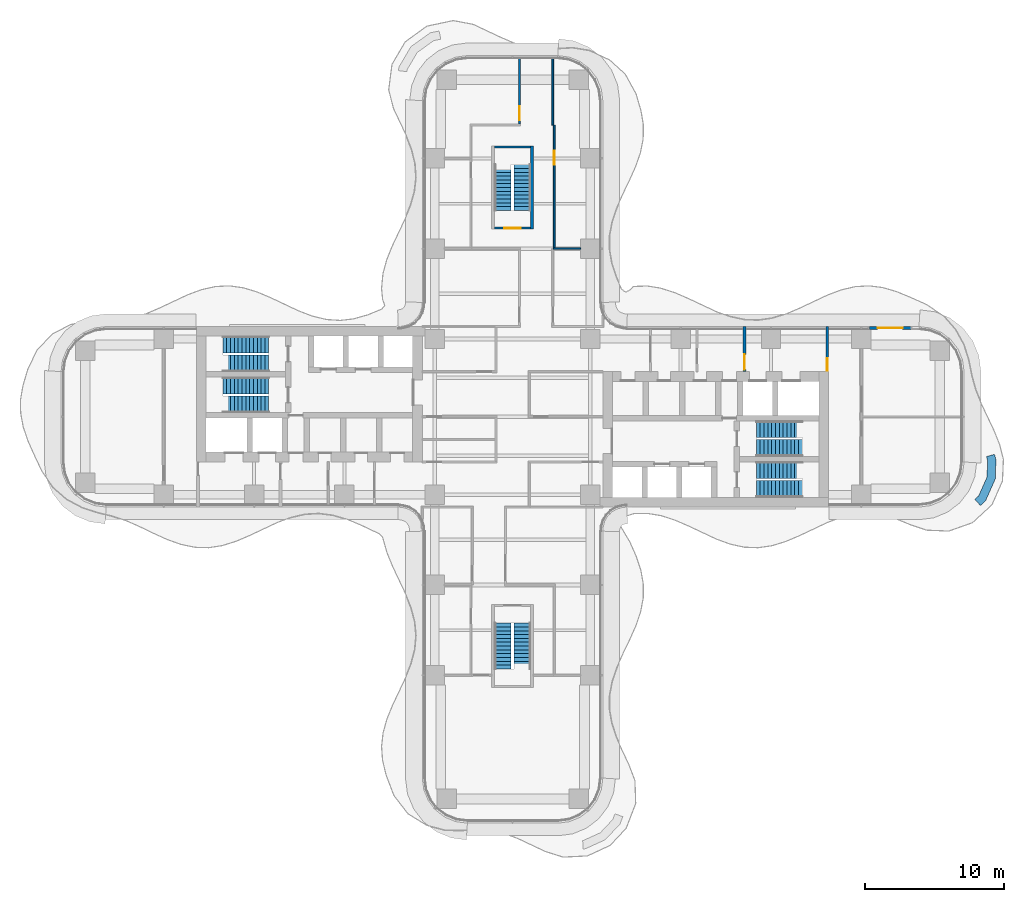
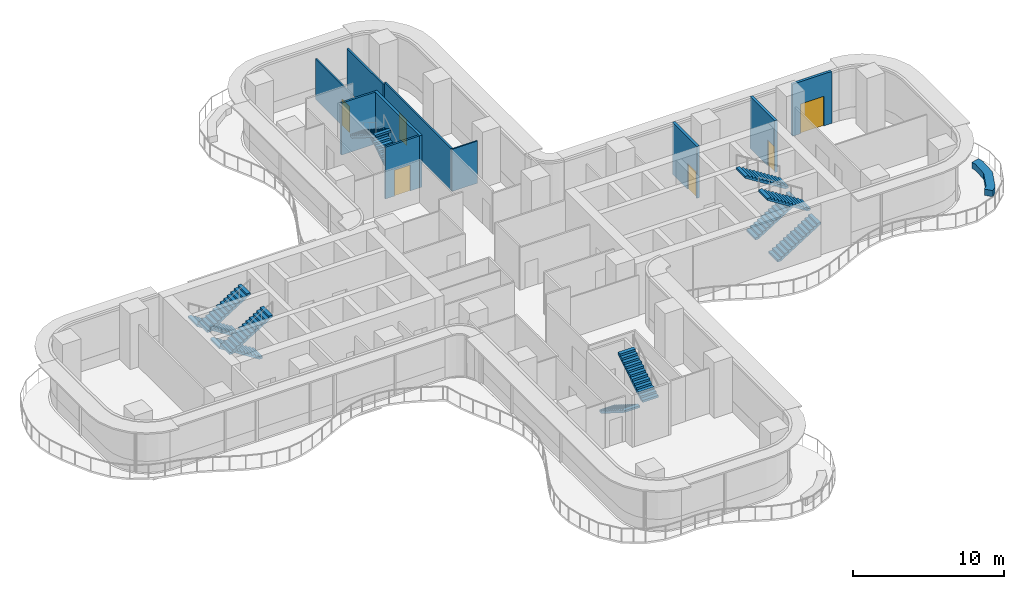
# One storey, part 20 of 22: 12 stair flights, 11 walls, 6 doors, 6 openings, 6 elements without a shape of their own.
"""IFC4 building model written with IfcOpenShell, lengths in metres."""

import ifcopenshell
import ifcopenshell.guid

model = None  # the IFC model being written
_history = None  # IfcOwnerHistory: only IFC2X3 demands one
_inside = {}  # id of a spatial element -> (the spatial element, [elements in it])
_under = {}  # id of a project, library or spatial element -> (it, [spatial elements below it])
_declared = {}  # id of a project -> (the project, [libraries it declares])
_typed = {}  # id of a type object -> (the type object, [elements of that type])
_made_of = {}  # id of a material, layer set ... -> (it, [elements and type objects made of it])


def new_model(schema):
    """Start an empty IFC model of exactly this schema.

    Asked for "IFC4X3", IfcOpenShell would pick the latest addendum, in which some entities
    have other attributes; the version numbers below select the first issue.
    IFC2X3 requires an IfcOwnerHistory on every rooted entity: one is made here for all.
    """
    global model, _history
    if schema == "IFC4X3":
        model = ifcopenshell.file(schema_version=(4, 3, 0, 0))
    else:
        model = ifcopenshell.file(schema=schema)
    _inside.clear()
    _under.clear()
    _declared.clear()
    _typed.clear()
    _made_of.clear()
    _history = None
    if model.schema == "IFC2X3":
        org = make("IfcOrganization", Name="unknown")
        user = make(
            "IfcPersonAndOrganization",
            ThePerson=make("IfcPerson", FamilyName="unknown"),
            TheOrganization=org,
        )
        app = make(
            "IfcApplication",
            ApplicationDeveloper=org,
            Version="unknown",
            ApplicationFullName="unknown",
            ApplicationIdentifier="unknown",
        )
        _history = make(
            "IfcOwnerHistory",
            OwningUser=user,
            OwningApplication=app,
            ChangeAction="ADDED",
            CreationDate=0,
        )
    return model


def make(cls, **values):
    """One entity of the class cls with the attributes given. An attribute that is None is left unset."""
    return model.create_entity(
        cls, **{name: value for name, value in values.items() if value is not None}
    )


def rooted(cls, **values):
    """An entity with a GlobalId (a new one), such as an element, a storey or a relation."""
    return make(cls, GlobalId=ifcopenshell.guid.new(), OwnerHistory=_history, **values)


def si_unit(unit_type, name, prefix=None):
    """IfcSIUnit, for example si_unit("LENGTHUNIT", "METRE", prefix="MILLI")."""
    return make("IfcSIUnit", UnitType=unit_type, Prefix=prefix, Name=name)


def assignment(units):
    """IfcUnitAssignment: the units of a project."""
    return None if units is None else make("IfcUnitAssignment", Units=units)


def point(xyz):
    """IfcCartesianPoint."""
    return None if xyz is None else make("IfcCartesianPoint", Coordinates=xyz)


def direction(xyz):
    """IfcDirection."""
    return None if xyz is None else make("IfcDirection", DirectionRatios=xyz)


def frame(location, z_axis=None, x_axis=None):
    """IfcAxis2Placement3D, a coordinate frame: its origin and axes. An axis left out is left unset."""
    return make(
        "IfcAxis2Placement3D",
        Location=point(location),
        Axis=direction(z_axis),
        RefDirection=direction(x_axis),
    )


def frame_2d(location, x_axis=None):
    """IfcAxis2Placement2D, a coordinate frame in the plane: its origin and x axis."""
    return make(
        "IfcAxis2Placement2D", Location=point(location), RefDirection=direction(x_axis)
    )


def origin():
    """The frame at (0, 0, 0) with its axes left unset."""
    return frame((0.0, 0.0, 0.0))


def place(relative_to, where):
    """IfcLocalPlacement: puts the frame where relative to a parent placement (None: the world)."""
    return make(
        "IfcLocalPlacement", PlacementRelTo=relative_to, RelativePlacement=where
    )


def context(
    kind, dimensions, precision=None, world=None, true_north=None, identifier=None
):
    """IfcGeometricRepresentationContext, for example the 3D "Model" context."""
    return make(
        "IfcGeometricRepresentationContext",
        ContextIdentifier=identifier,
        ContextType=kind,
        CoordinateSpaceDimension=dimensions,
        Precision=precision,
        WorldCoordinateSystem=world,
        TrueNorth=true_north,
    )


def subcontext(parent, identifier, kind, view, scale=None):
    """IfcGeometricRepresentationSubContext, for example "Body" below "Model"."""
    return make(
        "IfcGeometricRepresentationSubContext",
        ContextIdentifier=identifier,
        ContextType=kind,
        ParentContext=parent,
        TargetScale=scale,
        TargetView=view,
    )


def project(units=None, contexts=None):
    """IfcProject with its units and contexts."""
    return rooted(
        "IfcProject",
        Name="project",
        RepresentationContexts=contexts,
        UnitsInContext=assignment(units),
    )


def spatial(cls, under=None, at=None, **own):
    """A site, building, storey or space (cls), placed at a placement, below another one or the project."""
    s = rooted(cls, ObjectPlacement=at, **own)
    if under is not None:
        _under.setdefault(under.id(), (under, []))[1].append(s)
    return s


def polyline(points):
    """IfcPolyline through the points."""
    return make("IfcPolyline", Points=[point(p) for p in points])


def profile(cls, at=None, kind="AREA", **sizes):
    """A parametric profile (cls). Its sizes go by their IFC names, for example OverallWidth=200.0."""
    return make(cls, ProfileType=kind, Position=at, **sizes)


def rectangle(**sizes):
    """IfcRectangleProfileDef."""
    return profile("IfcRectangleProfileDef", **sizes)


def outline(outer, holes=None, kind="AREA"):
    """IfcArbitraryClosedProfileDef: a profile drawn as a closed curve; with holes, ...WithVoids."""
    if holes is None:
        return make("IfcArbitraryClosedProfileDef", ProfileType=kind, OuterCurve=outer)
    return make(
        "IfcArbitraryProfileDefWithVoids",
        ProfileType=kind,
        OuterCurve=outer,
        InnerCurves=holes,
    )


def extrude(swept, where, along, depth):
    """IfcExtrudedAreaSolid: the profile swept, set in the frame where, extruded along a direction by depth."""
    return make(
        "IfcExtrudedAreaSolid",
        SweptArea=swept,
        Position=where,
        ExtrudedDirection=direction(along),
        Depth=depth,
    )


def shape(context_of_items, identifier, shape_type, items):
    """IfcShapeRepresentation: the items that make up one representation, for example the "Body"."""
    return make(
        "IfcShapeRepresentation",
        ContextOfItems=context_of_items,
        RepresentationIdentifier=identifier,
        RepresentationType=shape_type,
        Items=items,
    )


def source(mapping_origin, context_of_items, identifier, shape_type, items):
    """IfcRepresentationMap: a shape defined once, which mapped items show again and again."""
    return make(
        "IfcRepresentationMap",
        MappingOrigin=mapping_origin,
        MappedRepresentation=shape(context_of_items, identifier, shape_type, items),
    )


def transform(
    local_origin,
    x_axis=None,
    y_axis=None,
    z_axis=None,
    scale=None,
    scale2=None,
    scale3=None,
    uniform=True,
):
    """IfcCartesianTransformationOperator3D, or its non-uniform kind. x_axis, y_axis, z_axis: its Axis1, 2, 3."""
    if uniform:
        return make(
            "IfcCartesianTransformationOperator3D",
            Axis1=direction(x_axis),
            Axis2=direction(y_axis),
            LocalOrigin=point(local_origin),
            Scale=scale,
            Axis3=direction(z_axis),
        )
    return make(
        "IfcCartesianTransformationOperator3DnonUniform",
        Axis1=direction(x_axis),
        Axis2=direction(y_axis),
        LocalOrigin=point(local_origin),
        Scale=scale,
        Axis3=direction(z_axis),
        Scale2=scale2,
        Scale3=scale3,
    )


def mapped(mapping_source, mapping_target):
    """IfcMappedItem: shows the shape of a source again, moved by a transform."""
    return make(
        "IfcMappedItem", MappingSource=mapping_source, MappingTarget=mapping_target
    )


def material(Name=None, Category=None):
    """IfcMaterial."""
    return make("IfcMaterial", Name=Name, Category=Category)


def layer(
    of_material, thickness, ventilated=None, Name=None, Category=None, Priority=None
):
    """IfcMaterialLayer: one layer of a wall or slab, of a material (None: an air gap)."""
    return make(
        "IfcMaterialLayer",
        Material=of_material,
        LayerThickness=thickness,
        IsVentilated=ventilated,
        Name=Name,
        Category=Category,
        Priority=Priority,
    )


def layer_set(layers, Name=None):
    """IfcMaterialLayerSet."""
    return make("IfcMaterialLayerSet", MaterialLayers=layers, LayerSetName=Name)


def made_of(thing, what):
    """Note that an element or type object is made of a material, layer set ...; save() writes the relation."""
    if what is not None:
        _made_of.setdefault(what.id(), (what, []))[1].append(thing)
    return thing


def type_object(cls, material=None, **own):
    """A type object (cls), such as IfcWallType, which elements share."""
    return made_of(rooted(cls, **own), material)


def element(
    cls,
    number,
    at=None,
    inside=None,
    cuts=None,
    type_object=None,
    material=None,
    context=None,
    identifier="Body",
    shape_type=None,
    held_by="IfcProductDefinitionShape",
    body=None,
    shapes=None,
    **own,
):
    """One element of the class cls, such as IfcWall. Its Tag is "e" and its number.

    at: its placement. inside: the storey or other place that contains it. cuts: it is an
    opening in that element (IfcRelVoidsElement). A single representation is given by context,
    identifier, shape_type and body (its items); several are given by shapes. held_by: the class
    of the entity that holds the representations. save() writes the other relations.
    """
    e = rooted(cls, Tag="e%d" % number, ObjectPlacement=at, **own)
    if body is not None:
        shapes = [shape(context, identifier, shape_type, body)]
    if shapes is not None:
        e.Representation = make(held_by, Representations=shapes)
    if inside is not None:
        _inside.setdefault(inside.id(), (inside, []))[1].append(e)
    if cuts is not None:
        rooted(
            "IfcRelVoidsElement", RelatingBuildingElement=cuts, RelatedOpeningElement=e
        )
    if type_object is not None:
        _typed.setdefault(type_object.id(), (type_object, []))[1].append(e)
    return made_of(e, material)


def fill(opening, filler):
    """IfcRelFillsElement: the door or window that sits in an opening."""
    return rooted(
        "IfcRelFillsElement",
        RelatingOpeningElement=opening,
        RelatedBuildingElement=filler,
    )


def aggregate(whole, parts):
    """IfcRelAggregates: a whole, such as a stair, and the parts it consists of."""
    return rooted("IfcRelAggregates", RelatingObject=whole, RelatedObjects=parts)


def save(model, path):
    """Write the relations noted so far, then the file.

    IfcRelAggregates (storeys below a building ...), IfcRelContainedInSpatialStructure (elements
    in a storey), IfcRelDefinesByType, IfcRelAssociatesMaterial and IfcRelDeclares: one each for
    every whole, place, type object, material and project.
    """
    for whole, parts in _under.values():
        aggregate(whole, parts)
    for where, things in _inside.values():
        rooted(
            "IfcRelContainedInSpatialStructure",
            RelatedElements=things,
            RelatingStructure=where,
        )
    for kind, things in _typed.values():
        rooted("IfcRelDefinesByType", RelatedObjects=things, RelatingType=kind)
    for what, things in _made_of.values():
        rooted("IfcRelAssociatesMaterial", RelatedObjects=things, RelatingMaterial=what)
    for by, libraries in _declared.values():
        rooted("IfcRelDeclares", RelatingContext=by, RelatedDefinitions=libraries)
    model.write(path)


model = new_model("IFC4")

# Units and contexts
model_context = context("Model", 3, precision=1e-05, world=origin(), true_north=direction((0.0, 1.0)))
body_context = subcontext(model_context, "Body", "Model", "MODEL_VIEW")
ifc_project = project(units=[si_unit("LENGTHUNIT", "METRE"), si_unit("AREAUNIT", "SQUARE_METRE"), si_unit("VOLUMEUNIT", "CUBIC_METRE"), si_unit("PLANEANGLEUNIT", "RADIAN"), si_unit("MASSUNIT", "GRAM", prefix="KILO")], contexts=[model_context])

# Site, building, storey
site_placement = place(None, origin())
site = spatial("IfcSite", under=ifc_project, at=site_placement, CompositionType="ELEMENT")
building_placement = place(site_placement, origin())
building = spatial("IfcBuilding", under=site, at=building_placement, Name="Trellis Farm Tower", CompositionType="ELEMENT")
storey_placement = place(building_placement, frame((0.0, 0.0, 88.0)))
storey = spatial("IfcBuildingStorey", under=building, at=storey_placement, Name="L18", CompositionType="ELEMENT", Elevation=88.0)

# Wall, opening, door
ifc_material_1 = material(Name="Sandstone faced insulated wall", Category="masonry")
ifc_layer_1 = layer(ifc_material_1, 0.199951171875)
ifc_layer_set_1 = layer_set([ifc_layer_1], Name="EXTERNAL INFILL WALL 200")
wall_type_1 = type_object("IfcWallType", Name="EXTERNAL INFILL WALL 200", PredefinedType="SOLIDWALL", material=ifc_layer_set_1)
wall_1_placement = place(storey_placement, frame((28.675048828125, 6.39990234375, 0.0), z_axis=(0.0, 0.0, 1.0), x_axis=(-1.0, 0.0, 0.0)))
wall_1 = element("IfcWall", 1, at=wall_1_placement, inside=storey, type_object=wall_type_1, Name="EW1 01", PredefinedType="SOLIDWALL", context=body_context, shape_type="SweptSolid", body=[
    extrude(rectangle(XDim=3.0, YDim=0.199951171875, at=frame_2d((1.5, 0.0))), origin(), (0.0, 0.0, 1.0), 4.199951171875),
])
shared_shape_1 = source(origin(), body_context, "Body", "SweptSolid", [
    extrude(rectangle(XDim=1.800048828125, YDim=2.39990234375, at=frame_2d((0.89990234375, 1.199951171875))), frame((0.0, 0.110107421875, 0.0), z_axis=(0.0, -1.0, 0.0), x_axis=(1.0, 0.0, 0.0)), (0.0, 0.0, 1.0), 0.22021484375),
])
opening_1_placement = place(wall_1_placement, frame((0.60009765625, 0.0, 0.0)))
opening_1 = element("IfcOpeningElement", 2, at=opening_1_placement, cuts=wall_1, Name="Opening ED1", PredefinedType="OPENING", context=body_context, shape_type="MappedRepresentation", body=[
    mapped(shared_shape_1, transform((0.0, 0.0, 0.0))),
])
ifc_material_2 = material(Name="Aluminium framed glazed door", Category="aluminium")
door_type_1 = type_object("IfcDoorType", Name="BALCONY DOOR 1800x2400", OperationType="DOUBLE_DOOR_SINGLE_SWING", PredefinedType="DOOR", material=ifc_material_2)
shared_shape_2 = source(origin(), body_context, "Body", "SweptSolid", [
    extrude(rectangle(XDim=1.800048828125, YDim=2.39990234375, at=frame_2d((0.89990234375, 1.199951171875))), frame((0.0, 0.02490234375, 0.0), z_axis=(0.0, -1.0, 0.0), x_axis=(1.0, 0.0, 0.0)), (0.0, 0.0, 1.0), 0.050048828125),
])
door_1_placement = place(opening_1_placement, origin())
door_1 = element("IfcDoor", 3, at=door_1_placement, inside=storey, type_object=door_type_1, Name="Balcony door", OperationType="DOUBLE_DOOR_SINGLE_SWING", OverallHeight=2.39990234375, OverallWidth=1.800048828125, PredefinedType="DOOR", context=body_context, shape_type="MappedRepresentation", body=[
    mapped(shared_shape_2, transform((0.0, 0.0, 0.0))),
])
fill(opening_1, door_1)

ifc_material_3 = material(Name="Plasterboard on steel studs, mineral wool", Category="steel")
ifc_layer_2 = layer(ifc_material_3, 0.125)
ifc_layer_set_2 = layer_set([ifc_layer_2], Name="PARTITION 125 STUD EI 60")
wall_type_2 = type_object("IfcWallType", Name="PARTITION 125 STUD EI 60", PredefinedType="PARTITIONING", material=ifc_layer_set_2)
wall_2_placement = place(storey_placement, frame((0.5, 25.800048828125, 0.0), z_axis=(0.0, 0.0, 1.0), x_axis=(0.0, -1.0, 0.0)))
wall_2 = element("IfcWall", 4, at=wall_2_placement, inside=storey, type_object=wall_type_2, Name="Partition PW1", PredefinedType="PARTITIONING", context=body_context, shape_type="SweptSolid", body=[
    extrude(rectangle(XDim=4.737548828125, YDim=0.125, at=frame_2d((2.36865234375, 0.0))), origin(), (0.0, 0.0, 1.0), 3.280029296875),
])
shared_shape_3 = source(origin(), body_context, "Body", "SweptSolid", [
    extrude(rectangle(XDim=1.0, YDim=2.10009765625, at=frame_2d((0.5, 1.050048828125))), frame((0.0, 0.072509765625, 0.0), z_axis=(0.0, -1.0, 0.0), x_axis=(1.0, 0.0, 0.0)), (0.0, 0.0, 1.0), 0.14501953125),
])
opening_2_placement = place(wall_2_placement, frame((3.449951171875, 0.0, 0.0)))
opening_2 = element("IfcOpeningElement", 5, at=opening_2_placement, cuts=wall_2, Name="Opening D114", PredefinedType="OPENING", context=body_context, shape_type="MappedRepresentation", body=[
    mapped(shared_shape_3, transform((0.0, 0.0, 0.0))),
])
ifc_material_4 = material(Name="Fire-rated timber door leaf in a hollow metal frame", Category="wood")
door_type_2 = type_object("IfcDoorType", Name="DOOR 1000x2100 FD30S", OperationType="NOTDEFINED", PredefinedType="DOOR", material=ifc_material_4)
shared_shape_4 = source(origin(), body_context, "Body", "SweptSolid", [
    extrude(rectangle(XDim=1.0, YDim=2.10009765625, at=frame_2d((0.5, 1.050048828125))), frame((0.0, 0.02490234375, 0.0), z_axis=(0.0, -1.0, 0.0), x_axis=(1.0, 0.0, 0.0)), (0.0, 0.0, 1.0), 0.050048828125),
])
door_2_placement = place(opening_2_placement, origin())
door_2 = element("IfcDoor", 6, at=door_2_placement, inside=storey, type_object=door_type_2, Name="Door D114", OperationType="SINGLE_SWING_RIGHT", OverallHeight=2.10009765625, OverallWidth=1.0, PredefinedType="DOOR", context=body_context, shape_type="MappedRepresentation", body=[
    mapped(shared_shape_4, transform((0.0, 0.0, 0.0))),
])
fill(opening_2, door_2)

# Wall
wall_3_placement = place(storey_placement, frame((2.89990234375, 25.800048828125, 0.0), z_axis=(0.0, 0.0, 1.0), x_axis=(0.0, -1.0, 0.0)))
element("IfcWall", 7, at=wall_3_placement, inside=storey, type_object=wall_type_2, Name="Partition PW1", PredefinedType="PARTITIONING", context=body_context, shape_type="SweptSolid", body=[
    extrude(rectangle(XDim=4.800048828125, YDim=0.125, at=frame_2d((2.39990234375, 0.0))), origin(), (0.0, 0.0, 1.0), 3.280029296875),
])

# Wall, opening, door
wall_4_placement = place(storey_placement, frame((3.0, 21.0, 0.0), z_axis=(0.0, 0.0, 1.0), x_axis=(0.0, -1.0, 0.0)))
wall_4 = element("IfcWall", 8, at=wall_4_placement, inside=storey, type_object=wall_type_2, Name="Partition PW1", PredefinedType="PARTITIONING", context=body_context, shape_type="SweptSolid", body=[
    extrude(rectangle(XDim=8.85009765625, YDim=0.125, at=frame_2d((4.425048828125, 0.0))), origin(), (0.0, 0.0, 1.0), 3.417724609375),
])
opening_3_placement = place(wall_4_placement, frame((1.85009765625, 0.0, 0.0)))
opening_3 = element("IfcOpeningElement", 9, at=opening_3_placement, cuts=wall_4, Name="Opening D113", PredefinedType="OPENING", context=body_context, shape_type="MappedRepresentation", body=[
    mapped(shared_shape_3, transform((0.0, 0.0, 0.0))),
])
door_3_placement = place(opening_3_placement, origin())
door_3 = element("IfcDoor", 10, at=door_3_placement, inside=storey, type_object=door_type_2, Name="Door D113", OperationType="SINGLE_SWING_LEFT", OverallHeight=2.10009765625, OverallWidth=1.0, PredefinedType="DOOR", context=body_context, shape_type="MappedRepresentation", body=[
    mapped(shared_shape_4, transform((0.0, 0.0, 0.0))),
])
fill(opening_3, door_3)

# Wall
ifc_material_5 = material(Name="Sandstone faced masonry planter", Category="masonry")
ifc_layer_3 = layer(ifc_material_5, 0.60009765625)
ifc_layer_set_3 = layer_set([ifc_layer_3], Name="PLANTER BED 600")
wall_type_3 = type_object("IfcWallType", Name="PLANTER BED 600", PredefinedType="USERDEFINED", material=ifc_layer_set_3)
placement = place(storey_placement, origin())
element("IfcWall", 11, at=placement, inside=storey, type_object=wall_type_3, Name="PLANTER bed", ObjectType="PLANTER", PredefinedType="USERDEFINED", context=body_context, shape_type="SweptSolid", body=[
    extrude(outline(polyline([(34.740966796875, -4.480224609375), (34.044189453125, -6.050537109375), (33.671142578125, -6.386962890625), (33.269287109375, -5.94140625), (33.547607421875, -5.6904296875), (34.145751953125, -4.34228515625), (34.1904296875, -3.16748046875), (34.109619140625, -2.8544921875), (34.6904296875, -2.704345703125), (34.79345703125, -3.102294921875), (34.740966796875, -4.480224609375)])), origin(), (0.0, 0.0, 1.0), 0.5),
])

# Wall, opening, door
ifc_material_6 = material(Name="Masonry blockwork", Category="masonry")
ifc_layer_4 = layer(ifc_material_6, 0.199951171875)
ifc_layer_set_4 = layer_set([ifc_layer_4], Name="FIRE LOBBY PARTITION 200 BLOCKWORK")
wall_type_4 = type_object("IfcWallType", Name="FIRE LOBBY PARTITION 200 BLOCKWORK", PredefinedType="PARTITIONING", material=ifc_layer_set_4)
shared_shape_5 = source(origin(), body_context, "Body", "SweptSolid", [
    extrude(rectangle(XDim=3.25, YDim=0.199951171875, at=frame_2d((1.625, 0.0))), origin(), (0.0, 0.0, 1.0), 4.199951171875),
])
wall_6_placement = place(storey_placement, frame((16.699951171875, 3.25, 0.0), z_axis=(0.0, 0.0, 1.0), x_axis=(0.0, 1.0, 0.0)))
wall_6 = element("IfcWall", 12, at=wall_6_placement, inside=storey, type_object=wall_type_4, Name="Fire-fighting lobby partition", PredefinedType="PARTITIONING", context=body_context, shape_type="MappedRepresentation", body=[
    mapped(shared_shape_5, transform((0.0, 0.0, 0.0))),
])
shared_shape_6 = source(origin(), body_context, "Body", "SweptSolid", [
    extrude(rectangle(XDim=1.10009765625, YDim=2.10009765625, at=frame_2d((0.550048828125, 1.050048828125))), frame((0.0, 0.110107421875, 0.0), z_axis=(0.0, -1.0, 0.0), x_axis=(1.0, 0.0, 0.0)), (0.0, 0.0, 1.0), 0.22021484375),
])
opening_4_placement = place(wall_6_placement, frame((0.14990234375, 0.0, 0.0)))
opening_4 = element("IfcOpeningElement", 13, at=opening_4_placement, cuts=wall_6, Name="Opening DC7", PredefinedType="OPENING", context=body_context, shape_type="MappedRepresentation", body=[
    mapped(shared_shape_6, transform((0.0, 0.0, 0.0))),
])
ifc_material_7 = material(Name="Steel", Category="steel")
door_type_3 = type_object("IfcDoorType", Name="CORE FIRE DOOR 1100 X 2100", OperationType="NOTDEFINED", PredefinedType="DOOR", material=ifc_material_7)
shared_shape_7 = source(origin(), body_context, "Body", "SweptSolid", [
    extrude(rectangle(XDim=1.10009765625, YDim=2.10009765625, at=frame_2d((0.550048828125, 1.050048828125))), frame((0.0, 0.02490234375, 0.0), z_axis=(0.0, -1.0, 0.0), x_axis=(1.0, 0.0, 0.0)), (0.0, 0.0, 1.0), 0.050048828125),
])
door_4_placement = place(opening_4_placement, origin())
door_4 = element("IfcDoor", 14, at=door_4_placement, inside=storey, type_object=door_type_3, Name="Core door", OperationType="SINGLE_SWING_RIGHT", OverallHeight=2.10009765625, OverallWidth=1.10009765625, PredefinedType="DOOR", context=body_context, shape_type="MappedRepresentation", body=[
    mapped(shared_shape_7, transform((0.0, 0.0, 0.0))),
])
fill(opening_4, door_4)

wall_7_placement = place(storey_placement, frame((22.64990234375, 3.25, 0.0), z_axis=(0.0, 0.0, 1.0), x_axis=(0.0, 1.0, 0.0)))
wall_7 = element("IfcWall", 15, at=wall_7_placement, inside=storey, type_object=wall_type_4, Name="Fire-fighting lobby partition", PredefinedType="PARTITIONING", context=body_context, shape_type="MappedRepresentation", body=[
    mapped(shared_shape_5, transform((0.0, 0.0, 0.0))),
])
shared_shape_8 = source(origin(), body_context, "Body", "SweptSolid", [
    extrude(rectangle(XDim=0.89990234375, YDim=2.10009765625, at=frame_2d((0.449951171875, 1.050048828125))), frame((0.0, 0.110107421875, 0.0), z_axis=(0.0, -1.0, 0.0), x_axis=(1.0, 0.0, 0.0)), (0.0, 0.0, 1.0), 0.22021484375),
])
opening_5_placement = place(wall_7_placement, frame((0.050048828125, 0.0, 0.0)))
opening_5 = element("IfcOpeningElement", 16, at=opening_5_placement, cuts=wall_7, Name="Opening DC8", PredefinedType="OPENING", context=body_context, shape_type="MappedRepresentation", body=[
    mapped(shared_shape_8, transform((0.0, 0.0, 0.0))),
])
door_type_4 = type_object("IfcDoorType", Name="CORE FIRE DOOR 900 X 2100", OperationType="NOTDEFINED", PredefinedType="DOOR", material=ifc_material_7)
shared_shape_9 = source(origin(), body_context, "Body", "SweptSolid", [
    extrude(rectangle(XDim=0.89990234375, YDim=2.10009765625, at=frame_2d((0.449951171875, 1.050048828125))), frame((0.0, 0.02490234375, 0.0), z_axis=(0.0, -1.0, 0.0), x_axis=(1.0, 0.0, 0.0)), (0.0, 0.0, 1.0), 0.050048828125),
])
door_5_placement = place(opening_5_placement, origin())
door_5 = element("IfcDoor", 17, at=door_5_placement, inside=storey, type_object=door_type_4, Name="Core door", OperationType="SINGLE_SWING_RIGHT", OverallHeight=2.10009765625, OverallWidth=0.89990234375, PredefinedType="DOOR", context=body_context, shape_type="MappedRepresentation", body=[
    mapped(shared_shape_9, transform((0.0, 0.0, 0.0))),
])
fill(opening_5, door_5)

# Wall
ifc_material_8 = material(Name="Concrete C80/95", Category="concrete")
ifc_layer_5 = layer(ifc_material_8, 0.199951171875)
ifc_layer_set_5 = layer_set([ifc_layer_5], Name="CORE STAIR ENCLOSURE WALL 200 CONCRETE C80/95")
wall_type_5 = type_object("IfcWallType", Name="CORE STAIR ENCLOSURE WALL 200 CONCRETE C80/95", PredefinedType="SHEAR", material=ifc_layer_set_5)
shared_shape_10 = source(origin(), body_context, "Body", "SweptSolid", [
    extrude(rectangle(XDim=6.0, YDim=0.199951171875, at=frame_2d((3.0, 0.0))), origin(), (0.0, 0.0, 1.0), 4.199951171875),
])
wall_8_placement = place(storey_placement, frame((1.39990234375, 13.5, 0.0), z_axis=(0.0, 0.0, 1.0), x_axis=(0.0, 1.0, 0.0)))
element("IfcWall", 18, at=wall_8_placement, inside=storey, type_object=wall_type_5, Name="Stair enclosure wall", PredefinedType="SHEAR", context=body_context, shape_type="MappedRepresentation", body=[
    mapped(shared_shape_10, transform((0.0, 0.0, 0.0))),
])

# Wall, opening, door
ifc_layer_6 = layer(ifc_material_8, 0.14990234375)
ifc_layer_set_6 = layer_set([ifc_layer_6], Name="CORE STAIR ENCLOSURE WALL 150 CONCRETE C80/95")
wall_type_6 = type_object("IfcWallType", Name="CORE STAIR ENCLOSURE WALL 150 CONCRETE C80/95", PredefinedType="SHEAR", material=ifc_layer_set_6)
shared_shape_11 = source(origin(), body_context, "Body", "SweptSolid", [
    extrude(rectangle(XDim=2.60009765625, YDim=0.14990234375, at=frame_2d((1.300048828125, 0.0))), origin(), (0.0, 0.0, 1.0), 4.199951171875),
])
wall_9_placement = place(storey_placement, frame((-1.300048828125, 13.574951171875, 0.0), z_axis=(0.0, 0.0, 1.0), x_axis=(1.0, 0.0, 0.0)))
wall_9 = element("IfcWall", 19, at=wall_9_placement, inside=storey, type_object=wall_type_6, Name="Stair enclosure wall", PredefinedType="SHEAR", context=body_context, shape_type="MappedRepresentation", body=[
    mapped(shared_shape_11, transform((0.0, 0.0, 0.0))),
])
shared_shape_12 = source(origin(), body_context, "Body", "SweptSolid", [
    extrude(rectangle(XDim=1.199951171875, YDim=2.10009765625, at=frame_2d((0.60009765625, 1.050048828125))), frame((0.0, 0.0849609375, 0.0), z_axis=(0.0, -1.0, 0.0), x_axis=(1.0, 0.0, 0.0)), (0.0, 0.0, 1.0), 0.169921875),
])
opening_6_placement = place(wall_9_placement, frame((0.699951171875, 0.0, 0.0)))
opening_6 = element("IfcOpeningElement", 20, at=opening_6_placement, cuts=wall_9, Name="Opening DC173", PredefinedType="OPENING", context=body_context, shape_type="MappedRepresentation", body=[
    mapped(shared_shape_12, transform((0.0, 0.0, 0.0))),
])
door_type_5 = type_object("IfcDoorType", Name="CORE FIRE DOOR 1200 X 2100", OperationType="NOTDEFINED", PredefinedType="DOOR", material=ifc_material_7)
shared_shape_13 = source(origin(), body_context, "Body", "SweptSolid", [
    extrude(rectangle(XDim=1.199951171875, YDim=2.10009765625, at=frame_2d((0.60009765625, 1.050048828125))), frame((0.0, 0.02490234375, 0.0), z_axis=(0.0, -1.0, 0.0), x_axis=(1.0, 0.0, 0.0)), (0.0, 0.0, 1.0), 0.050048828125),
])
door_6_placement = place(opening_6_placement, origin())
door_6 = element("IfcDoor", 21, at=door_6_placement, inside=storey, type_object=door_type_5, Name="Core door", OperationType="SINGLE_SWING_LEFT", OverallHeight=2.10009765625, OverallWidth=1.199951171875, PredefinedType="DOOR", context=body_context, shape_type="MappedRepresentation", body=[
    mapped(shared_shape_13, transform((0.0, 0.0, 0.0))),
])
fill(opening_6, door_6)

# Walls
wall_10_placement = place(storey_placement, frame((-1.300048828125, 19.425048828125, 0.0), z_axis=(0.0, 0.0, 1.0), x_axis=(1.0, 0.0, 0.0)))
element("IfcWall", 22, at=wall_10_placement, inside=storey, type_object=wall_type_6, Name="Stair enclosure wall", PredefinedType="SHEAR", context=body_context, shape_type="MappedRepresentation", body=[
    mapped(shared_shape_11, transform((0.0, 0.0, 0.0))),
])
ifc_material_9 = material(Name="Plasterboard on steel studs", Category="steel")
ifc_layer_7 = layer(ifc_material_9, 0.10009765625)
ifc_layer_set_7 = layer_set([ifc_layer_7], Name="PARTITION 100 STUD EI 30")
wall_type_7 = type_object("IfcWallType", Name="PARTITION 100 STUD EI 30", PredefinedType="PARTITIONING", material=ifc_layer_set_7)
shared_shape_14 = source(origin(), body_context, "Body", "SweptSolid", [
    extrude(rectangle(XDim=1.96240234375, YDim=0.10009765625, at=frame_2d((0.981201171875, 0.0))), origin(), (0.0, 0.0, 1.0), 3.417724609375),
])
wall_11_placement = place(storey_placement, frame((2.9375, 12.10009765625, 0.0), z_axis=(0.0, 0.0, 1.0), x_axis=(1.0, 0.0, 0.0)))
element("IfcWall", 23, at=wall_11_placement, inside=storey, type_object=wall_type_7, Name="Partition PW2", PredefinedType="PARTITIONING", context=body_context, shape_type="MappedRepresentation", body=[
    mapped(shared_shape_14, transform((0.0, 0.0, 0.0))),
])

# Stair, stair flights
ifc_material_10 = material(Name="Concrete C50/60", Category="concrete")
stair_type = type_object("IfcStairType", Name="CORE EXIT STAIR 26 RISERS 173 MM", PredefinedType="HALF_TURN_STAIR", material=ifc_material_10)
stair_1 = element("IfcStair", 24, at=placement, inside=storey, type_object=stair_type, Name="Exit stair N", PredefinedType="HALF_TURN_STAIR")
stair_flight_type = type_object("IfcStairFlightType", Name="STAIR FLIGHT 13 RISERS 173 MM", PredefinedType="STRAIGHT", material=ifc_material_10)
shared_shape_15 = source(origin(), body_context, "Body", "SweptSolid", [
    extrude(outline(polyline([(0.0, 0.0), (0.0, 0.173095703125), (0.27490234375, 0.173095703125), (0.27490234375, 0.34619140625), (0.550048828125, 0.34619140625), (0.550048828125, 0.519287109375), (0.824951171875, 0.519287109375), (0.824951171875, 0.6923828125), (1.10009765625, 0.6923828125), (1.10009765625, 0.865478515625), (1.375, 0.865478515625), (1.375, 1.03857421875), (1.64990234375, 1.03857421875), (1.64990234375, 1.21142578125), (1.925048828125, 1.21142578125), (1.925048828125, 1.384521484375), (2.199951171875, 1.384521484375), (2.199951171875, 1.5576171875), (2.47509765625, 1.5576171875), (2.47509765625, 1.730712890625), (2.75, 1.730712890625), (2.75, 1.90380859375), (3.02490234375, 1.90380859375), (3.02490234375, 2.076904296875), (3.300048828125, 2.076904296875), (3.300048828125, 2.25), (3.300048828125, 1.92333984375), (0.243896484375, 0.0), (0.0, 0.0)])), frame((0.0, 0.60009765625, 0.0), z_axis=(0.0, -1.0, 0.0), x_axis=(1.0, 0.0, 0.0)), (0.0, 0.0, 1.0), 1.199951171875),
])
stair_flight_1_placement = place(storey_placement, frame((0.699951171875, 14.85009765625, 0.0), z_axis=(0.0, 0.0, 1.0), x_axis=(0.0, 1.0, 0.0)))
stair_flight_1 = element("IfcStairFlight", 25, at=stair_flight_1_placement, type_object=stair_flight_type, Name="STN flight 1", NumberOfRisers=13, NumberOfTreads=12, PredefinedType="STRAIGHT", RiserHeight=0.173076923, TreadLength=0.275, context=body_context, shape_type="MappedRepresentation", body=[
    mapped(shared_shape_15, transform((0.0, 0.0, 0.0))),
])
stair_flight_2_placement = place(storey_placement, frame((-0.699951171875, 18.14990234375, 2.25), z_axis=(0.0, 0.0, 1.0), x_axis=(0.0, -1.0, 0.0)))
stair_flight_2 = element("IfcStairFlight", 26, at=stair_flight_2_placement, type_object=stair_flight_type, Name="STN flight 2", NumberOfRisers=13, NumberOfTreads=12, PredefinedType="STRAIGHT", RiserHeight=0.173076923, TreadLength=0.275, context=body_context, shape_type="MappedRepresentation", body=[
    mapped(shared_shape_15, transform((0.0, 0.0, 0.0))),
])
aggregate(stair_1, [stair_flight_1, stair_flight_2])

stair_2 = element("IfcStair", 27, at=placement, inside=storey, type_object=stair_type, Name="Exit stair S", PredefinedType="HALF_TURN_STAIR")
stair_flight_3_placement = place(storey_placement, frame((-0.699951171875, -14.85009765625, 0.0), z_axis=(0.0, 0.0, 1.0), x_axis=(0.0, -1.0, 0.0)))
stair_flight_3 = element("IfcStairFlight", 28, at=stair_flight_3_placement, type_object=stair_flight_type, Name="STS flight 1", NumberOfRisers=13, NumberOfTreads=12, PredefinedType="STRAIGHT", RiserHeight=0.173076923, TreadLength=0.275, context=body_context, shape_type="MappedRepresentation", body=[
    mapped(shared_shape_15, transform((0.0, 0.0, 0.0))),
])
stair_flight_4_placement = place(storey_placement, frame((0.699951171875, -18.14990234375, 2.25), z_axis=(0.0, 0.0, 1.0), x_axis=(0.0, 1.0, 0.0)))
stair_flight_4 = element("IfcStairFlight", 29, at=stair_flight_4_placement, type_object=stair_flight_type, Name="STS flight 2", NumberOfRisers=13, NumberOfTreads=12, PredefinedType="STRAIGHT", RiserHeight=0.173076923, TreadLength=0.275, context=body_context, shape_type="MappedRepresentation", body=[
    mapped(shared_shape_15, transform((0.0, 0.0, 0.0))),
])
aggregate(stair_2, [stair_flight_3, stair_flight_4])

stair_3 = element("IfcStair", 30, at=placement, inside=storey, type_object=stair_type, Name="Exit stair E1", PredefinedType="HALF_TURN_STAIR")
stair_flight_5_placement = place(storey_placement, frame((17.550048828125, -5.199951171875, 0.0), z_axis=(0.0, 0.0, 1.0), x_axis=(1.0, 0.0, 0.0)))
stair_flight_5 = element("IfcStairFlight", 31, at=stair_flight_5_placement, type_object=stair_flight_type, Name="STE1 flight 1", NumberOfRisers=13, NumberOfTreads=12, PredefinedType="STRAIGHT", RiserHeight=0.173076923, TreadLength=0.275, context=body_context, shape_type="MappedRepresentation", body=[
    mapped(shared_shape_15, transform((0.0, 0.0, 0.0))),
])
stair_flight_6_placement = place(storey_placement, frame((20.85009765625, -3.85009765625, 2.25), z_axis=(0.0, 0.0, 1.0), x_axis=(-1.0, 0.0, 0.0)))
stair_flight_6 = element("IfcStairFlight", 32, at=stair_flight_6_placement, type_object=stair_flight_type, Name="STE1 flight 2", NumberOfRisers=13, NumberOfTreads=12, PredefinedType="STRAIGHT", RiserHeight=0.173076923, TreadLength=0.275, context=body_context, shape_type="MappedRepresentation", body=[
    mapped(shared_shape_15, transform((0.0, 0.0, 0.0))),
])
aggregate(stair_3, [stair_flight_5, stair_flight_6])

stair_4 = element("IfcStair", 33, at=placement, inside=storey, type_object=stair_type, Name="Exit stair E2", PredefinedType="HALF_TURN_STAIR")
stair_flight_7_placement = place(storey_placement, frame((17.550048828125, -2.25, 0.0), z_axis=(0.0, 0.0, 1.0), x_axis=(1.0, 0.0, 0.0)))
stair_flight_7 = element("IfcStairFlight", 34, at=stair_flight_7_placement, type_object=stair_flight_type, Name="STE2 flight 1", NumberOfRisers=13, NumberOfTreads=12, PredefinedType="STRAIGHT", RiserHeight=0.173076923, TreadLength=0.275, context=body_context, shape_type="MappedRepresentation", body=[
    mapped(shared_shape_15, transform((0.0, 0.0, 0.0))),
])
stair_flight_8_placement = place(storey_placement, frame((20.85009765625, -0.89990234375, 2.25), z_axis=(0.0, 0.0, 1.0), x_axis=(-1.0, 0.0, 0.0)))
stair_flight_8 = element("IfcStairFlight", 35, at=stair_flight_8_placement, type_object=stair_flight_type, Name="STE2 flight 2", NumberOfRisers=13, NumberOfTreads=12, PredefinedType="STRAIGHT", RiserHeight=0.173076923, TreadLength=0.275, context=body_context, shape_type="MappedRepresentation", body=[
    mapped(shared_shape_15, transform((0.0, 0.0, 0.0))),
])
aggregate(stair_4, [stair_flight_7, stair_flight_8])

stair_5 = element("IfcStair", 36, at=placement, inside=storey, type_object=stair_type, Name="Exit stair W1", PredefinedType="HALF_TURN_STAIR")
stair_flight_9_placement = place(storey_placement, frame((-17.550048828125, 5.199951171875, 0.0), z_axis=(0.0, 0.0, 1.0), x_axis=(-1.0, 0.0, 0.0)))
stair_flight_9 = element("IfcStairFlight", 37, at=stair_flight_9_placement, type_object=stair_flight_type, Name="STW1 flight 1", NumberOfRisers=13, NumberOfTreads=12, PredefinedType="STRAIGHT", RiserHeight=0.173076923, TreadLength=0.275, context=body_context, shape_type="MappedRepresentation", body=[
    mapped(shared_shape_15, transform((0.0, 0.0, 0.0))),
])
stair_flight_10_placement = place(storey_placement, frame((-20.85009765625, 3.85009765625, 2.25), z_axis=(0.0, 0.0, 1.0), x_axis=(1.0, 0.0, 0.0)))
stair_flight_10 = element("IfcStairFlight", 38, at=stair_flight_10_placement, type_object=stair_flight_type, Name="STW1 flight 2", NumberOfRisers=13, NumberOfTreads=12, PredefinedType="STRAIGHT", RiserHeight=0.173076923, TreadLength=0.275, context=body_context, shape_type="MappedRepresentation", body=[
    mapped(shared_shape_15, transform((0.0, 0.0, 0.0))),
])
aggregate(stair_5, [stair_flight_9, stair_flight_10])

stair_6 = element("IfcStair", 39, at=placement, inside=storey, type_object=stair_type, Name="Exit stair W2", PredefinedType="HALF_TURN_STAIR")
stair_flight_11_placement = place(storey_placement, frame((-17.550048828125, 2.25, 0.0), z_axis=(0.0, 0.0, 1.0), x_axis=(-1.0, 0.0, 0.0)))
stair_flight_11 = element("IfcStairFlight", 40, at=stair_flight_11_placement, type_object=stair_flight_type, Name="STW2 flight 1", NumberOfRisers=13, NumberOfTreads=12, PredefinedType="STRAIGHT", RiserHeight=0.173076923, TreadLength=0.275, context=body_context, shape_type="MappedRepresentation", body=[
    mapped(shared_shape_15, transform((0.0, 0.0, 0.0))),
])
stair_flight_12_placement = place(storey_placement, frame((-20.85009765625, 0.89990234375, 2.25), z_axis=(0.0, 0.0, 1.0), x_axis=(1.0, 0.0, 0.0)))
stair_flight_12 = element("IfcStairFlight", 41, at=stair_flight_12_placement, type_object=stair_flight_type, Name="STW2 flight 2", NumberOfRisers=13, NumberOfTreads=12, PredefinedType="STRAIGHT", RiserHeight=0.173076923, TreadLength=0.275, context=body_context, shape_type="MappedRepresentation", body=[
    mapped(shared_shape_15, transform((0.0, 0.0, 0.0))),
])
aggregate(stair_6, [stair_flight_11, stair_flight_12])

save(model, "model.ifc")
